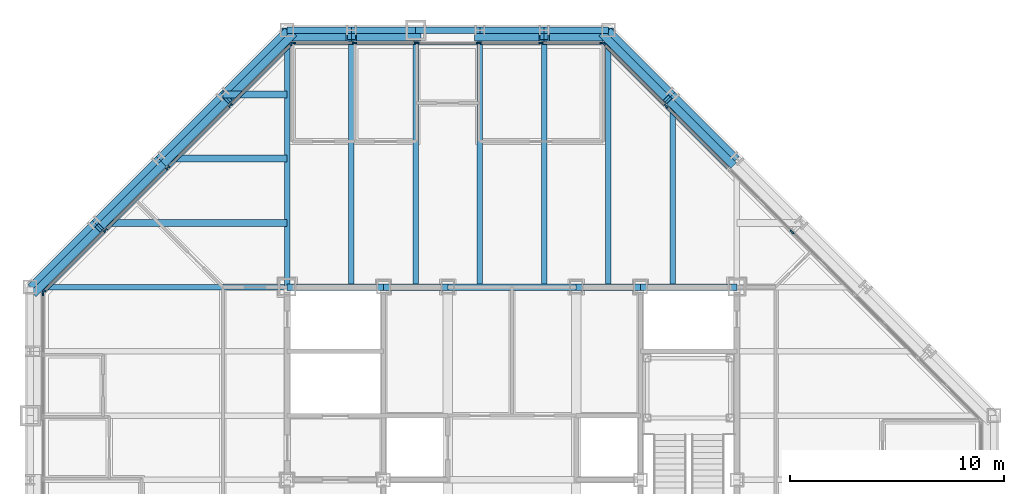
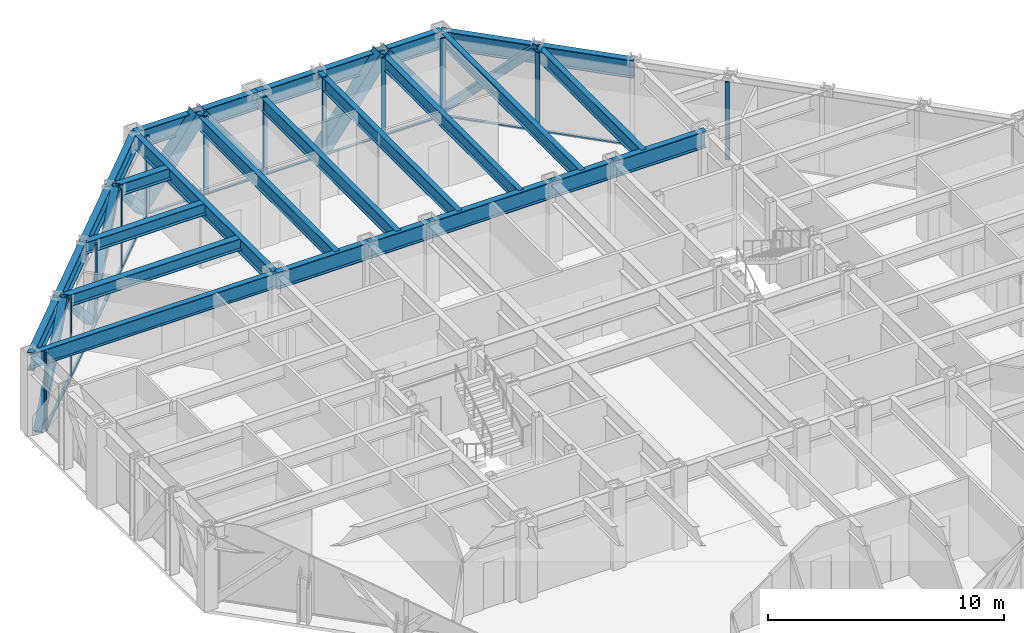
# One storey, part 7 of 15: 36 members, 27 beams, 4 elements without a shape of their own.
"""IFC4 building model written with IfcOpenShell, lengths in metres."""

from ifc_helpers import new_model, si_unit, direction, frame, origin, origin_2d, place, context, subcontext, project, spatial, rectangle, hollow_rectangle, i_section, extrude, material, layer, layer_set, material_profile, profile_set, type_object, element, aggregate, save


model = new_model("IFC4")

# Units and contexts
model_context = context("Model", 3, precision=1e-05, world=origin(), true_north=direction((0.0, 1.0)))
body_context = subcontext(model_context, "Body", "Model", "MODEL_VIEW")
ifc_project = project(units=[si_unit("LENGTHUNIT", "METRE"), si_unit("AREAUNIT", "SQUARE_METRE"), si_unit("VOLUMEUNIT", "CUBIC_METRE"), si_unit("PLANEANGLEUNIT", "RADIAN"), si_unit("MASSUNIT", "GRAM", prefix="KILO")], contexts=[model_context])

# Site, building, storey
site_placement = place(None, origin())
site = spatial("IfcSite", under=ifc_project, at=site_placement, CompositionType="ELEMENT")
building_placement = place(site_placement, origin())
building = spatial("IfcBuilding", under=site, at=building_placement, Name="Chuquiago Exchange Tower", CompositionType="ELEMENT")
storey_placement = place(building_placement, frame((0.0, 0.0, 188.699951171875)))
storey = spatial("IfcBuildingStorey", under=building, at=storey_placement, Name="L41", CompositionType="ELEMENT", Elevation=188.699951171875)

# Beams
ifc_material_1 = material(Name="Steel ASTM A992", Category="steel")
ifc_material_profile_1 = material_profile(ifc_material_1, i_section(OverallWidth=0.25390625, OverallDepth=0.683349609375, WebThickness=0.012451171875, FlangeThickness=0.018798828125, at=origin_2d()), Name="W27X94")
ifc_profile_set_1 = profile_set([ifc_material_profile_1], Name="Steel ASTM A992")
beam_type_1 = type_object("IfcBeamType", Name="B1 W27X94", PredefinedType="BEAM", material=ifc_profile_set_1)
for number, where, z_axis, x_axis, name in (
    (1, (15.0, 33.0, 3.698486328125), (0.0, 1.0, 0.0), (-1.0, 0.0, 0.0), "FB-L42-infill-15_33-15_45-0"),
    (2, (18.0, 33.0, 3.698486328125), (0.0, 1.0, 0.0), (-1.0, 0.0, 0.0), "FB-L42-infill-18_33-18_45-0"),
    (3, (21.0, 33.0, 3.698486328125), (0.0, 1.0, 0.0), (-1.0, 0.0, 0.0), "FB-L42-infill-21_33-21_45-0"),
    (4, (24.0, 33.0, 3.698486328125), (0.0, 1.0, 0.0), (-1.0, 0.0, 0.0), "FB-L42-infill-24_33-24_45-0"),
    (5, (27.0, 33.0, 3.698486328125), (0.0, 1.0, 0.0), (-1.0, 0.0, 0.0), "FB-L42-infill-27_33-27_45-0"),
):
    element("IfcBeam", number, at=place(storey_placement, frame(where, z_axis=z_axis, x_axis=x_axis)), inside=storey, type_object=beam_type_1, Name=name, PredefinedType="BEAM", context=body_context, shape_type="SweptSolid", body=[
        extrude(i_section(OverallWidth=0.25390625, OverallDepth=0.683349609375, WebThickness=0.012451171875, FlangeThickness=0.018798828125, at=origin_2d()), origin(), (0.0, 0.0, 1.0), 12.0),
    ])
beam_1_placement = place(storey_placement, frame((30.0, 33.0, 3.698486328125), z_axis=(0.0, 1.0, 0.0), x_axis=(-1.0, 0.0, 0.0)))
element("IfcBeam", 6, at=beam_1_placement, inside=storey, type_object=beam_type_1, Name="FB-L42-infill-30_33-30_42-0", PredefinedType="BEAM", context=body_context, shape_type="SweptSolid", body=[
    extrude(i_section(OverallWidth=0.25390625, OverallDepth=0.683349609375, WebThickness=0.012451171875, FlangeThickness=0.018798828125, at=origin_2d()), origin(), (0.0, 0.0, 1.0), 9.0),
])
ifc_material_2 = material(Name="Steel ASTM A992", Category="steel")
ifc_material_profile_2 = material_profile(ifc_material_2, i_section(OverallWidth=0.3251953125, OverallDepth=0.612060546875, WebThickness=0.0126953125, FlangeThickness=0.01904296875, at=origin_2d()), Name="W24X104")
ifc_profile_set_2 = profile_set([ifc_material_profile_2], Name="Steel ASTM A992")
beam_type_2 = type_object("IfcBeamType", Name="B2 W24X104", PredefinedType="BEAM", material=ifc_profile_set_2)
beam_2_placement = place(storey_placement, frame((12.0, 36.0, 3.73388671875), z_axis=(-1.0, 0.0, 0.0), x_axis=(0.0, -1.0, 0.0)))
element("IfcBeam", 7, at=beam_2_placement, inside=storey, type_object=beam_type_2, Name="FB-L42-corner-12_36-3_36-0", PredefinedType="BEAM", context=body_context, shape_type="SweptSolid", body=[
    extrude(i_section(OverallWidth=0.3251953125, OverallDepth=0.612060546875, WebThickness=0.0126953125, FlangeThickness=0.01904296875, at=origin_2d()), origin(), (0.0, 0.0, 1.0), 9.0),
])
beam_3_placement = place(storey_placement, frame((12.0, 39.0, 3.73388671875), z_axis=(-1.0, 0.0, 0.0), x_axis=(0.0, -1.0, 0.0)))
element("IfcBeam", 8, at=beam_3_placement, inside=storey, type_object=beam_type_2, Name="FB-L42-corner-12_39-6_39-0", PredefinedType="BEAM", context=body_context, shape_type="SweptSolid", body=[
    extrude(i_section(OverallWidth=0.3251953125, OverallDepth=0.612060546875, WebThickness=0.0126953125, FlangeThickness=0.01904296875, at=origin_2d()), origin(), (0.0, 0.0, 1.0), 6.0),
])
beam_4_placement = place(storey_placement, frame((12.0, 42.0, 3.73388671875), z_axis=(-1.0, 0.0, 0.0), x_axis=(0.0, -1.0, 0.0)))
element("IfcBeam", 9, at=beam_4_placement, inside=storey, type_object=beam_type_2, Name="FB-L42-corner-12_42-9_42-0", PredefinedType="BEAM", context=body_context, shape_type="SweptSolid", body=[
    extrude(i_section(OverallWidth=0.3251953125, OverallDepth=0.612060546875, WebThickness=0.0126953125, FlangeThickness=0.01904296875, at=origin_2d()), origin(), (0.0, 0.0, 1.0), 3.0),
])
ifc_material_3 = material(Name="Steel ASTM A992", Category="steel")
ifc_material_profile_3 = material_profile(ifc_material_3, i_section(OverallWidth=0.2919921875, OverallDepth=0.8583984375, WebThickness=0.01708984375, FlangeThickness=0.031005859375, at=origin_2d()), Name="W33X169")
ifc_profile_set_3 = profile_set([ifc_material_profile_3], Name="Steel ASTM A992")
beam_type_3 = type_object("IfcBeamType", Name="B3 W33X169", PredefinedType="BEAM", material=ifc_profile_set_3)
beam_5_placement = place(storey_placement, frame((12.0, 33.0, 3.61083984375), z_axis=(1.0, 0.0, 0.0), x_axis=(0.0, 1.0, 0.0)))
element("IfcBeam", 10, at=beam_5_placement, inside=storey, type_object=beam_type_3, Name="CB-L42-12_33-16.5_33", PredefinedType="BEAM", context=body_context, shape_type="SweptSolid", body=[
    extrude(i_section(OverallWidth=0.2919921875, OverallDepth=0.8583984375, WebThickness=0.01708984375, FlangeThickness=0.031005859375, at=origin_2d()), origin(), (0.0, 0.0, 1.0), 4.5),
])
beam_6_placement = place(storey_placement, frame((16.5, 33.0, 3.61083984375), z_axis=(1.0, 0.0, 0.0), x_axis=(0.0, 1.0, 0.0)))
element("IfcBeam", 11, at=beam_6_placement, inside=storey, type_object=beam_type_3, Name="CB-L42-16.5_33-19.5_33", PredefinedType="BEAM", context=body_context, shape_type="SweptSolid", body=[
    extrude(i_section(OverallWidth=0.2919921875, OverallDepth=0.8583984375, WebThickness=0.01708984375, FlangeThickness=0.031005859375, at=origin_2d()), origin(), (0.0, 0.0, 1.0), 3.0),
])
beam_7_placement = place(storey_placement, frame((19.5, 33.0, 3.61083984375), z_axis=(1.0, 0.0, 0.0), x_axis=(0.0, 1.0, 0.0)))
element("IfcBeam", 12, at=beam_7_placement, inside=storey, type_object=beam_type_3, Name="CB-L42-19.5_33-25.5_33", PredefinedType="BEAM", context=body_context, shape_type="SweptSolid", body=[
    extrude(i_section(OverallWidth=0.2919921875, OverallDepth=0.8583984375, WebThickness=0.01708984375, FlangeThickness=0.031005859375, at=origin_2d()), origin(), (0.0, 0.0, 1.0), 6.0),
])
beam_8_placement = place(storey_placement, frame((25.5, 33.0, 3.61083984375), z_axis=(1.0, 0.0, 0.0), x_axis=(0.0, 1.0, 0.0)))
element("IfcBeam", 13, at=beam_8_placement, inside=storey, type_object=beam_type_3, Name="CB-L42-25.5_33-28.5_33", PredefinedType="BEAM", context=body_context, shape_type="SweptSolid", body=[
    extrude(i_section(OverallWidth=0.2919921875, OverallDepth=0.8583984375, WebThickness=0.01708984375, FlangeThickness=0.031005859375, at=origin_2d()), origin(), (0.0, 0.0, 1.0), 3.0),
])
beam_9_placement = place(storey_placement, frame((28.5, 33.0, 3.61083984375), z_axis=(1.0, 0.0, 0.0), x_axis=(0.0, 1.0, 0.0)))
element("IfcBeam", 14, at=beam_9_placement, inside=storey, type_object=beam_type_3, Name="CB-L42-28.5_33-33_33", PredefinedType="BEAM", context=body_context, shape_type="SweptSolid", body=[
    extrude(i_section(OverallWidth=0.2919921875, OverallDepth=0.8583984375, WebThickness=0.01708984375, FlangeThickness=0.031005859375, at=origin_2d()), origin(), (0.0, 0.0, 1.0), 4.5),
])

# Curtain wall, members
ifc_material_4 = material(Name="Aluminium curtain wall system", Category="aluminium")
ifc_layer_1 = layer(ifc_material_4, 0.22509765625)
ifc_layer_set_1 = layer_set([ifc_layer_1], Name="CW2 office curtain wall")
curtain_wall_type_1 = type_object("IfcCurtainWallType", Name="CW2 office curtain wall", PredefinedType="NOTDEFINED", material=ifc_layer_set_1)
curtain_wall_1_placement = place(storey_placement, origin())
curtain_wall_1 = element("IfcCurtainWall", 15, at=curtain_wall_1_placement, inside=storey, type_object=curtain_wall_type_1, Name="CW2 curtain wall L41", PredefinedType="NOTDEFINED")
ifc_material_5 = material(Name="Aluminium mullion, pale anodised", Category="aluminium")
ifc_material_profile_4 = material_profile(ifc_material_5, rectangle(XDim=0.06494140625, YDim=0.22509765625, at=origin_2d()), Name="AL 65x225")
ifc_profile_set_4 = profile_set([ifc_material_profile_4], Name="Aluminium mullion, pale anodised")
member_type_1 = type_object("IfcMemberType", Name="CW2-M mullion 65x225", PredefinedType="MULLION", material=ifc_profile_set_4)
member_1_placement = place(storey_placement, frame((26.718994140625, 44.39990234375, 0.0), z_axis=(0.0, 0.0, 1.0), x_axis=(0.0, -1.0, 0.0)))
member_1 = element("IfcMember", 16, at=member_1_placement, type_object=member_type_1, Name="CW2 mullion 1", PredefinedType="MULLION", context=body_context, shape_type="SweptSolid", body=[
    extrude(rectangle(XDim=0.06494140625, YDim=0.22509765625, at=origin_2d()), origin(), (0.0, 0.0, 1.0), 4.0400390625),
])
member_2_placement = place(storey_placement, frame((23.850830078125, 44.39990234375, 0.0), z_axis=(0.0, 0.0, 1.0), x_axis=(0.0, -1.0, 0.0)))
member_2 = element("IfcMember", 17, at=member_2_placement, type_object=member_type_1, Name="CW2 mullion 2", PredefinedType="MULLION", context=body_context, shape_type="SweptSolid", body=[
    extrude(rectangle(XDim=0.06494140625, YDim=0.22509765625, at=origin_2d()), origin(), (0.0, 0.0, 1.0), 4.0400390625),
])
member_3_placement = place(storey_placement, frame((20.9501953125, 44.39990234375, 0.0), z_axis=(0.0, 0.0, 1.0), x_axis=(0.0, -1.0, 0.0)))
member_3 = element("IfcMember", 18, at=member_3_placement, type_object=member_type_1, Name="CW2 mullion 3", PredefinedType="MULLION", context=body_context, shape_type="SweptSolid", body=[
    extrude(rectangle(XDim=0.06494140625, YDim=0.22509765625, at=origin_2d()), origin(), (0.0, 0.0, 1.0), 4.0400390625),
])
member_4_placement = place(storey_placement, frame((18.0498046875, 44.39990234375, 0.0), z_axis=(0.0, 0.0, 1.0), x_axis=(0.0, -1.0, 0.0)))
member_4 = element("IfcMember", 19, at=member_4_placement, type_object=member_type_1, Name="CW2 mullion 4", PredefinedType="MULLION", context=body_context, shape_type="SweptSolid", body=[
    extrude(rectangle(XDim=0.06494140625, YDim=0.22509765625, at=origin_2d()), origin(), (0.0, 0.0, 1.0), 4.0400390625),
])
member_5_placement = place(storey_placement, frame((15.149169921875, 44.39990234375, 0.0), z_axis=(0.0, 0.0, 1.0), x_axis=(0.0, -1.0, 0.0)))
member_5 = element("IfcMember", 20, at=member_5_placement, type_object=member_type_1, Name="CW2 mullion 5", PredefinedType="MULLION", context=body_context, shape_type="SweptSolid", body=[
    extrude(rectangle(XDim=0.06494140625, YDim=0.22509765625, at=origin_2d()), origin(), (0.0, 0.0, 1.0), 4.0400390625),
])
member_6_placement = place(storey_placement, frame((12.281005859375, 44.39990234375, 0.0), z_axis=(0.0, 0.0, 1.0), x_axis=(0.0, -1.0, 0.0)))
member_6 = element("IfcMember", 21, at=member_6_placement, type_object=member_type_1, Name="CW2 mullion 6", PredefinedType="MULLION", context=body_context, shape_type="SweptSolid", body=[
    extrude(rectangle(XDim=0.06494140625, YDim=0.22509765625, at=origin_2d()), origin(), (0.0, 0.0, 1.0), 4.0400390625),
])

# Curtain wall, member
curtain_wall_2_placement = place(storey_placement, origin())
curtain_wall_2 = element("IfcCurtainWall", 22, at=curtain_wall_2_placement, inside=storey, type_object=curtain_wall_type_1, Name="CW2 curtain wall L41", PredefinedType="NOTDEFINED")
member_7_placement = place(storey_placement, frame((0.60009765625, 32.718994140625, 0.0), z_axis=(0.0, 0.0, 1.0), x_axis=(1.0, 0.0, 0.0)))
member_7 = element("IfcMember", 23, at=member_7_placement, type_object=member_type_1, Name="CW2 mullion 1", PredefinedType="MULLION", context=body_context, shape_type="SweptSolid", body=[
    extrude(rectangle(XDim=0.06494140625, YDim=0.22509765625, at=origin_2d()), origin(), (0.0, 0.0, 1.0), 4.0400390625),
])
aggregate(curtain_wall_2, [member_7])

# Member
ifc_material_6 = material(Name="Aluminium transom, pale anodised", Category="aluminium")
ifc_material_profile_5 = material_profile(ifc_material_6, rectangle(XDim=0.139892578125, YDim=0.06494140625, at=origin_2d()), Name="AL 140x65")
ifc_profile_set_5 = profile_set([ifc_material_profile_5], Name="Aluminium transom, pale anodised")
member_type_2 = type_object("IfcMemberType", Name="CW2-T transom 65x140", PredefinedType="MULLION", material=ifc_profile_set_5)
member_8_placement = place(storey_placement, frame((26.6865234375, 44.39990234375, 0.032470703125), z_axis=(-1.0, 0.0, 0.0), x_axis=(0.0, -1.0, 0.0)))
member_8 = element("IfcMember", 24, at=member_8_placement, type_object=member_type_2, Name="CW2 transom 1.1", PredefinedType="MULLION", context=body_context, shape_type="SweptSolid", body=[
    extrude(rectangle(XDim=0.139892578125, YDim=0.06494140625, at=origin_2d()), origin(), (0.0, 0.0, 1.0), 2.80322265625),
])

member_9_placement = place(storey_placement, frame((23.818359375, 44.39990234375, 0.032470703125), z_axis=(-1.0, 0.0, 0.0), x_axis=(0.0, -1.0, 0.0)))
member_9 = element("IfcMember", 25, at=member_9_placement, type_object=member_type_2, Name="CW2 transom 2.1", PredefinedType="MULLION", context=body_context, shape_type="SweptSolid", body=[
    extrude(rectangle(XDim=0.139892578125, YDim=0.06494140625, at=origin_2d()), origin(), (0.0, 0.0, 1.0), 2.83544921875),
])

member_10_placement = place(storey_placement, frame((20.917724609375, 44.39990234375, 0.032470703125), z_axis=(-1.0, 0.0, 0.0), x_axis=(0.0, -1.0, 0.0)))
member_10 = element("IfcMember", 26, at=member_10_placement, type_object=member_type_2, Name="CW2 transom 3.1", PredefinedType="MULLION", context=body_context, shape_type="SweptSolid", body=[
    extrude(rectangle(XDim=0.139892578125, YDim=0.06494140625, at=origin_2d()), origin(), (0.0, 0.0, 1.0), 2.83544921875),
])

member_11_placement = place(storey_placement, frame((18.01708984375, 44.39990234375, 0.032470703125), z_axis=(-1.0, 0.0, 0.0), x_axis=(0.0, -1.0, 0.0)))
member_11 = element("IfcMember", 27, at=member_11_placement, type_object=member_type_2, Name="CW2 transom 4.1", PredefinedType="MULLION", context=body_context, shape_type="SweptSolid", body=[
    extrude(rectangle(XDim=0.139892578125, YDim=0.06494140625, at=origin_2d()), origin(), (0.0, 0.0, 1.0), 2.83544921875),
])

member_12_placement = place(storey_placement, frame((15.11669921875, 44.39990234375, 0.032470703125), z_axis=(-1.0, 0.0, 0.0), x_axis=(0.0, -1.0, 0.0)))
member_12 = element("IfcMember", 28, at=member_12_placement, type_object=member_type_2, Name="CW2 transom 5.1", PredefinedType="MULLION", context=body_context, shape_type="SweptSolid", body=[
    extrude(rectangle(XDim=0.139892578125, YDim=0.06494140625, at=origin_2d()), origin(), (0.0, 0.0, 1.0), 2.80322265625),
])

aggregate(curtain_wall_1, [member_1, member_2, member_3, member_4, member_5, member_6, member_8, member_9, member_10, member_11, member_12])

# Curtain wall, members
ifc_material_7 = material(Name="Aluminium curtain wall system", Category="aluminium")
ifc_layer_2 = layer(ifc_material_7, 0.199951171875)
ifc_layer_set_2 = layer_set([ifc_layer_2], Name="CW3 facet curtain wall")
curtain_wall_type_2 = type_object("IfcCurtainWallType", Name="CW3 facet curtain wall", PredefinedType="NOTDEFINED", material=ifc_layer_set_2)
curtain_wall_3_placement = place(storey_placement, origin())
curtain_wall_3 = element("IfcCurtainWall", 29, at=curtain_wall_3_placement, inside=storey, type_object=curtain_wall_type_2, Name="CW3 curtain wall L41", PredefinedType="NOTDEFINED")
ifc_material_8 = material(Name="Aluminium mullion, pale anodised", Category="aluminium")
ifc_material_profile_6 = material_profile(ifc_material_8, rectangle(XDim=0.06494140625, YDim=0.199951171875, at=origin_2d()), Name="AL 65x200")
ifc_profile_set_6 = profile_set([ifc_material_profile_6], Name="Aluminium mullion, pale anodised")
member_type_3 = type_object("IfcMemberType", Name="CW3-M mullion 65x200", PredefinedType="MULLION", material=ifc_profile_set_6)
member_13_placement = place(storey_placement, frame((35.57568359375, 35.57568359375, 0.0), z_axis=(0.0, 0.0, 1.0), x_axis=(-0.707106781187, -0.707106781187, 0.0)))
member_13 = element("IfcMember", 30, at=member_13_placement, type_object=member_type_3, Name="CW3 mullion 4", PredefinedType="MULLION", context=body_context, shape_type="SweptSolid", body=[
    extrude(rectangle(XDim=0.06494140625, YDim=0.199951171875, at=origin_2d()), origin(), (0.0, 0.0, 1.0), 4.0400390625),
])
member_14_placement = place(storey_placement, frame((29.69287109375, 41.45849609375, 0.0), z_axis=(0.0, 0.0, 1.0), x_axis=(-0.707106781187, -0.707106781187, 0.0)))
member_14 = element("IfcMember", 31, at=member_14_placement, type_object=member_type_3, Name="CW3 mullion 6", PredefinedType="MULLION", context=body_context, shape_type="SweptSolid", body=[
    extrude(rectangle(XDim=0.06494140625, YDim=0.199951171875, at=origin_2d()), origin(), (0.0, 0.0, 1.0), 4.0400390625),
])
member_15_placement = place(storey_placement, frame((26.7744140625, 44.376953125, 0.0), z_axis=(0.0, 0.0, 1.0), x_axis=(-0.707106781187, -0.707106781187, 0.0)))
member_15 = element("IfcMember", 32, at=member_15_placement, type_object=member_type_3, Name="CW3 mullion 7", PredefinedType="MULLION", context=body_context, shape_type="SweptSolid", body=[
    extrude(rectangle(XDim=0.06494140625, YDim=0.199951171875, at=origin_2d()), origin(), (0.0, 0.0, 1.0), 4.0400390625),
])

curtain_wall_4_placement = place(storey_placement, origin())
curtain_wall_4 = element("IfcCurtainWall", 33, at=curtain_wall_4_placement, inside=storey, type_object=curtain_wall_type_2, Name="CW3 curtain wall L41", PredefinedType="NOTDEFINED")
member_16_placement = place(storey_placement, frame((12.2255859375, 44.376953125, 0.0), z_axis=(0.0, 0.0, 1.0), x_axis=(0.707106781187, -0.707106781187, 0.0)))
member_16 = element("IfcMember", 34, at=member_16_placement, type_object=member_type_3, Name="CW3 mullion 1", PredefinedType="MULLION", context=body_context, shape_type="SweptSolid", body=[
    extrude(rectangle(XDim=0.06494140625, YDim=0.199951171875, at=origin_2d()), origin(), (0.0, 0.0, 1.0), 4.0400390625),
])
member_17_placement = place(storey_placement, frame((9.33642578125, 41.48779296875, 0.0), z_axis=(0.0, 0.0, 1.0), x_axis=(0.707106781187, -0.707106781187, 0.0)))
member_17 = element("IfcMember", 35, at=member_17_placement, type_object=member_type_3, Name="CW3 mullion 2", PredefinedType="MULLION", context=body_context, shape_type="SweptSolid", body=[
    extrude(rectangle(XDim=0.06494140625, YDim=0.199951171875, at=origin_2d()), origin(), (0.0, 0.0, 1.0), 4.0400390625),
])
member_18_placement = place(storey_placement, frame((6.42431640625, 38.57568359375, 0.0), z_axis=(0.0, 0.0, 1.0), x_axis=(0.707106781187, -0.707106781187, 0.0)))
member_18 = element("IfcMember", 36, at=member_18_placement, type_object=member_type_3, Name="CW3 mullion 3", PredefinedType="MULLION", context=body_context, shape_type="SweptSolid", body=[
    extrude(rectangle(XDim=0.06494140625, YDim=0.199951171875, at=origin_2d()), origin(), (0.0, 0.0, 1.0), 4.0400390625),
])
member_19_placement = place(storey_placement, frame((3.51220703125, 35.66357421875, 0.0), z_axis=(0.0, 0.0, 1.0), x_axis=(0.707106781187, -0.707106781187, 0.0)))
member_19 = element("IfcMember", 37, at=member_19_placement, type_object=member_type_3, Name="CW3 mullion 4", PredefinedType="MULLION", context=body_context, shape_type="SweptSolid", body=[
    extrude(rectangle(XDim=0.06494140625, YDim=0.199951171875, at=origin_2d()), origin(), (0.0, 0.0, 1.0), 4.0400390625),
])
member_20_placement = place(storey_placement, frame((0.623046875, 32.7744140625, 0.0), z_axis=(0.0, 0.0, 1.0), x_axis=(0.707106781187, -0.707106781187, 0.0)))
member_20 = element("IfcMember", 38, at=member_20_placement, type_object=member_type_3, Name="CW3 mullion 5", PredefinedType="MULLION", context=body_context, shape_type="SweptSolid", body=[
    extrude(rectangle(XDim=0.06494140625, YDim=0.199951171875, at=origin_2d()), origin(), (0.0, 0.0, 1.0), 4.0400390625),
])

# Member
ifc_material_9 = material(Name="Aluminium transom, pale anodised", Category="aluminium")
ifc_material_profile_7 = material_profile(ifc_material_9, rectangle(XDim=0.139892578125, YDim=0.06494140625, at=origin_2d()), Name="AL 140x65")
ifc_profile_set_7 = profile_set([ifc_material_profile_7], Name="Aluminium transom, pale anodised")
member_type_4 = type_object("IfcMemberType", Name="CW3-T transom 65x140", PredefinedType="MULLION", material=ifc_profile_set_7)
member_21_placement = place(storey_placement, frame((32.611328125, 38.5400390625, 0.032470703125), z_axis=(-0.707106781187, 0.707106781187, 0.0), x_axis=(-0.707106781187, -0.707106781187, 0.0)))
member_21 = element("IfcMember", 39, at=member_21_placement, type_object=member_type_4, Name="CW3 transom 5.1", PredefinedType="MULLION", context=body_context, shape_type="SweptSolid", body=[
    extrude(rectangle(XDim=0.139892578125, YDim=0.06494140625, at=origin_2d()), origin(), (0.0, 0.0, 1.0), 4.094970703125),
])

member_22_placement = place(storey_placement, frame((29.669921875, 41.4814453125, 0.032470703125), z_axis=(-0.707106781187, 0.707106781187, 0.0), x_axis=(-0.707106781187, -0.707106781187, 0.0)))
member_22 = element("IfcMember", 40, at=member_22_placement, type_object=member_type_4, Name="CW3 transom 6.1", PredefinedType="MULLION", context=body_context, shape_type="SweptSolid", body=[
    extrude(rectangle(XDim=0.139892578125, YDim=0.06494140625, at=origin_2d()), origin(), (0.0, 0.0, 1.0), 4.0625),
])

aggregate(curtain_wall_3, [member_13, member_14, member_15, member_21, member_22])

member_23_placement = place(storey_placement, frame((12.20263671875, 44.35400390625, 0.032470703125), z_axis=(-0.707106781187, -0.707106781187, 0.0), x_axis=(0.707106781187, -0.707106781187, 0.0)))
member_23 = element("IfcMember", 41, at=member_23_placement, type_object=member_type_4, Name="CW3 transom 1.1", PredefinedType="MULLION", context=body_context, shape_type="SweptSolid", body=[
    extrude(rectangle(XDim=0.139892578125, YDim=0.06494140625, at=origin_2d()), origin(), (0.0, 0.0, 1.0), 4.02099609375),
])

member_24_placement = place(storey_placement, frame((9.3134765625, 41.46484375, 0.032470703125), z_axis=(-0.707106781187, -0.707106781187, 0.0), x_axis=(0.707106781187, -0.707106781187, 0.0)))
member_24 = element("IfcMember", 42, at=member_24_placement, type_object=member_type_4, Name="CW3 transom 2.1", PredefinedType="MULLION", context=body_context, shape_type="SweptSolid", body=[
    extrude(rectangle(XDim=0.139892578125, YDim=0.06494140625, at=origin_2d()), origin(), (0.0, 0.0, 1.0), 4.053466796875),
])

member_25_placement = place(storey_placement, frame((6.4013671875, 38.552734375, 0.032470703125), z_axis=(-0.707106781187, -0.707106781187, 0.0), x_axis=(0.707106781187, -0.707106781187, 0.0)))
member_25 = element("IfcMember", 43, at=member_25_placement, type_object=member_type_4, Name="CW3 transom 3.1", PredefinedType="MULLION", context=body_context, shape_type="SweptSolid", body=[
    extrude(rectangle(XDim=0.139892578125, YDim=0.06494140625, at=origin_2d()), origin(), (0.0, 0.0, 1.0), 4.053466796875),
])

member_26_placement = place(storey_placement, frame((3.4892578125, 35.640625, 0.032470703125), z_axis=(-0.707106781187, -0.707106781187, 0.0), x_axis=(0.707106781187, -0.707106781187, 0.0)))
member_26 = element("IfcMember", 44, at=member_26_placement, type_object=member_type_4, Name="CW3 transom 4.1", PredefinedType="MULLION", context=body_context, shape_type="SweptSolid", body=[
    extrude(rectangle(XDim=0.139892578125, YDim=0.06494140625, at=origin_2d()), origin(), (0.0, 0.0, 1.0), 4.02099609375),
])

aggregate(curtain_wall_4, [member_16, member_17, member_18, member_19, member_20, member_23, member_24, member_25, member_26])

# Beams
ifc_material_10 = material(Name="Steel ASTM A992", Category="steel")
ifc_material_profile_8 = material_profile(ifc_material_10, i_section(OverallWidth=0.2666015625, OverallDepth=0.76953125, WebThickness=0.015625, FlangeThickness=0.025390625, at=origin_2d()), Name="W30X132")
ifc_profile_set_8 = profile_set([ifc_material_profile_8], Name="Steel ASTM A992")
beam_type_4 = type_object("IfcBeamType", Name="G1 W30X132", PredefinedType="BEAM", material=ifc_profile_set_8)
for number, where, z_axis, x_axis, name in (
    (45, (12.0, 33.0, 3.6552734375), (0.0, 1.0, 0.0), (-1.0, 0.0, 0.0), "FB-L42-girder-12_33-12_45-0"),
    (46, (12.0, 33.0, 3.6552734375), (-1.0, 0.0, 0.0), (0.0, -1.0, 0.0), "FB-L42-girder-12_33--0_33-0"),
):
    element("IfcBeam", number, at=place(storey_placement, frame(where, z_axis=z_axis, x_axis=x_axis)), inside=storey, type_object=beam_type_4, Name=name, PredefinedType="BEAM", context=body_context, shape_type="SweptSolid", body=[
        extrude(i_section(OverallWidth=0.2666015625, OverallDepth=0.76953125, WebThickness=0.015625, FlangeThickness=0.025390625, at=origin_2d()), origin(), (0.0, 0.0, 1.0), 12.0),
    ])

# Members
ifc_material_11 = material(Name="Steel ASTM A500 Grade C", Category="steel")
ifc_material_profile_9 = material_profile(ifc_material_11, hollow_rectangle(XDim=0.355712890625, YDim=0.355712890625, WallThickness=0.0146484375, at=origin_2d()), Name="HSS14X14X5/8")
ifc_profile_set_9 = profile_set([ifc_material_profile_9], Name="Steel ASTM A500 Grade C")
member_type_5 = type_object("IfcMemberType", Name="LB2 HSS14X14X5/8", PredefinedType="BRACE", material=ifc_profile_set_9)
for number, where, z_axis, x_axis, name in (
    (47, (32.7685546875, 38.7685546875, 0.0), (-0.512077265487, 0.512077265487, 0.689604051861), (-0.707106781187, -0.707106781187, 0.0), "LB-L41-33_39-30_42"),
    (48, (26.7685546875, 44.7685546875, 0.0), (0.512077265487, -0.512077265487, 0.689604051861), (0.707106781187, 0.707106781187, 0.0), "LB-L41-30_42-27_45"),
    (49, (12.2314453125, 44.7685546875, 0.0), (-0.512077265487, -0.512077265487, 0.689604051861), (0.707106781187, -0.707106781187, 0.0), "LB-L41-12_45-9_42"),
    (50, (6.2314453125, 38.7685546875, 0.0), (0.512077265487, 0.512077265487, 0.689604051861), (-0.707106781187, 0.707106781187, 0.0), "LB-L41-9_42-6_39"),
    (51, (6.2314453125, 38.7685546875, 0.0), (-0.512077265487, -0.512077265487, 0.689604051861), (0.707106781187, -0.707106781187, 0.0), "LB-L41-6_39-3_36"),
    (52, (0.2314453125, 32.7685546875, 0.0), (0.512077265487, 0.512077265487, 0.689604051861), (-0.707106781187, 0.707106781187, 0.0), "LB-L41-3_36-0_33"),
):
    element("IfcMember", number, at=place(storey_placement, frame(where, z_axis=z_axis, x_axis=x_axis)), inside=storey, type_object=member_type_5, Name=name, PredefinedType="BRACE", context=body_context, shape_type="SweptSolid", body=[
        extrude(hollow_rectangle(XDim=0.355712890625, YDim=0.355712890625, WallThickness=0.0146484375, at=origin_2d()), origin(), (0.0, 0.0, 1.0), 5.8583984375),
    ])
ifc_material_12 = material(Name="Steel ASTM A572 Grade 50", Category="steel")
ifc_material_profile_10 = material_profile(ifc_material_12, hollow_rectangle(XDim=0.60009765625, YDim=0.60009765625, WallThickness=0.06005859375, at=origin_2d()), Name="BOX600X600X60")
ifc_profile_set_10 = profile_set([ifc_material_profile_10], Name="Steel ASTM A572 Grade 50")
member_type_6 = type_object("IfcMemberType", Name="MB3 BOX600X600X60", PredefinedType="BRACE", material=ifc_profile_set_10)
for number, where, z_axis, x_axis, name in (
    (53, (27.0, 44.794921875, 0.0), (-0.596173923302, 0.0, 0.802855312728), (0.0, -1.0, 0.0), "Mega diagonal L41 N face"),
    (54, (21.0, 44.794921875, 0.0), (0.596173923302, 0.0, 0.802855312728), (0.0, 1.0, 0.0), "Mega diagonal L41 N face"),
    (55, (18.0, 44.794921875, 0.0), (-0.596173923302, 0.0, 0.802855312728), (0.0, -1.0, 0.0), "Mega diagonal L41 N face"),
    (56, (12.0, 44.794921875, 0.0), (0.596173923302, 0.0, 0.802855312728), (0.0, 1.0, 0.0), "Mega diagonal L41 N face"),
):
    element("IfcMember", number, at=place(storey_placement, frame(where, z_axis=z_axis, x_axis=x_axis)), inside=storey, type_object=member_type_6, Name=name, PredefinedType="BRACE", context=body_context, shape_type="SweptSolid", body=[
        extrude(hollow_rectangle(XDim=0.60009765625, YDim=0.60009765625, WallThickness=0.06005859375, at=origin_2d()), origin(), (0.0, 0.0, 1.0), 5.031982421875),
    ])

# Beams
ifc_material_13 = material(Name="Steel ASTM A992", Category="steel")
ifc_material_profile_11 = material_profile(ifc_material_13, i_section(OverallWidth=0.307373046875, OverallDepth=0.927001953125, WebThickness=0.01953125, FlangeThickness=0.031982421875, at=origin_2d()), Name="W36X194")
ifc_profile_set_11 = profile_set([ifc_material_profile_11], Name="Steel ASTM A992")
beam_type_5 = type_object("IfcBeamType", Name="SP3 W36X194", PredefinedType="SPANDREL", material=ifc_profile_set_11)
for number, where, z_axis, x_axis, name in (
    (57, (33.0, 39.0, 3.57666015625), (-0.707106781187, 0.707106781187, 0.0), (-0.707106781187, -0.707106781187, 0.0), "SPB-L42-33_39-30_42"),
    (58, (30.0, 42.0, 3.57666015625), (-0.707106781187, 0.707106781187, 0.0), (-0.707106781187, -0.707106781187, 0.0), "SPB-L42-30_42-27_45"),
):
    element("IfcBeam", number, at=place(storey_placement, frame(where, z_axis=z_axis, x_axis=x_axis)), inside=storey, type_object=beam_type_5, Name=name, PredefinedType="SPANDREL", context=body_context, shape_type="SweptSolid", body=[
        extrude(i_section(OverallWidth=0.307373046875, OverallDepth=0.927001953125, WebThickness=0.01953125, FlangeThickness=0.031982421875, at=origin_2d()), origin(), (0.0, 0.0, 1.0), 4.24267578125),
    ])
for number, where, z_axis, x_axis, name in (
    (59, (27.0, 45.0, 3.57666015625), (-1.0, 0.0, 0.0), (0.0, -1.0, 0.0), "SPB-L42-27_45-24_45"),
    (60, (24.0, 45.0, 3.57666015625), (-1.0, 0.0, 0.0), (0.0, -1.0, 0.0), "SPB-L42-24_45-21_45"),
    (61, (21.0, 45.0, 3.57666015625), (-1.0, 0.0, 0.0), (0.0, -1.0, 0.0), "SPB-L42-21_45-18_45"),
    (62, (18.0, 45.0, 3.57666015625), (-1.0, 0.0, 0.0), (0.0, -1.0, 0.0), "SPB-L42-18_45-15_45"),
    (63, (15.0, 45.0, 3.57666015625), (-1.0, 0.0, 0.0), (0.0, -1.0, 0.0), "SPB-L42-15_45-12_45"),
):
    element("IfcBeam", number, at=place(storey_placement, frame(where, z_axis=z_axis, x_axis=x_axis)), inside=storey, type_object=beam_type_5, Name=name, PredefinedType="SPANDREL", context=body_context, shape_type="SweptSolid", body=[
        extrude(i_section(OverallWidth=0.307373046875, OverallDepth=0.927001953125, WebThickness=0.01953125, FlangeThickness=0.031982421875, at=origin_2d()), origin(), (0.0, 0.0, 1.0), 3.0),
    ])
for number, where, z_axis, x_axis, name in (
    (64, (12.0, 45.0, 3.57666015625), (-0.707106781187, -0.707106781187, 0.0), (0.707106781187, -0.707106781187, 0.0), "SPB-L42-12_45-9_42"),
    (65, (9.0, 42.0, 3.57666015625), (-0.707106781187, -0.707106781187, 0.0), (0.707106781187, -0.707106781187, 0.0), "SPB-L42-9_42-6_39"),
    (66, (6.0, 39.0, 3.57666015625), (-0.707106781187, -0.707106781187, 0.0), (0.707106781187, -0.707106781187, 0.0), "SPB-L42-6_39-3_36"),
    (67, (3.0, 36.0, 3.57666015625), (-0.707106781187, -0.707106781187, 0.0), (0.707106781187, -0.707106781187, 0.0), "SPB-L42-3_36-0_33"),
):
    element("IfcBeam", number, at=place(storey_placement, frame(where, z_axis=z_axis, x_axis=x_axis)), inside=storey, type_object=beam_type_5, Name=name, PredefinedType="SPANDREL", context=body_context, shape_type="SweptSolid", body=[
        extrude(i_section(OverallWidth=0.307373046875, OverallDepth=0.927001953125, WebThickness=0.01953125, FlangeThickness=0.031982421875, at=origin_2d()), origin(), (0.0, 0.0, 1.0), 4.24267578125),
    ])

save(model, "model.ifc")
